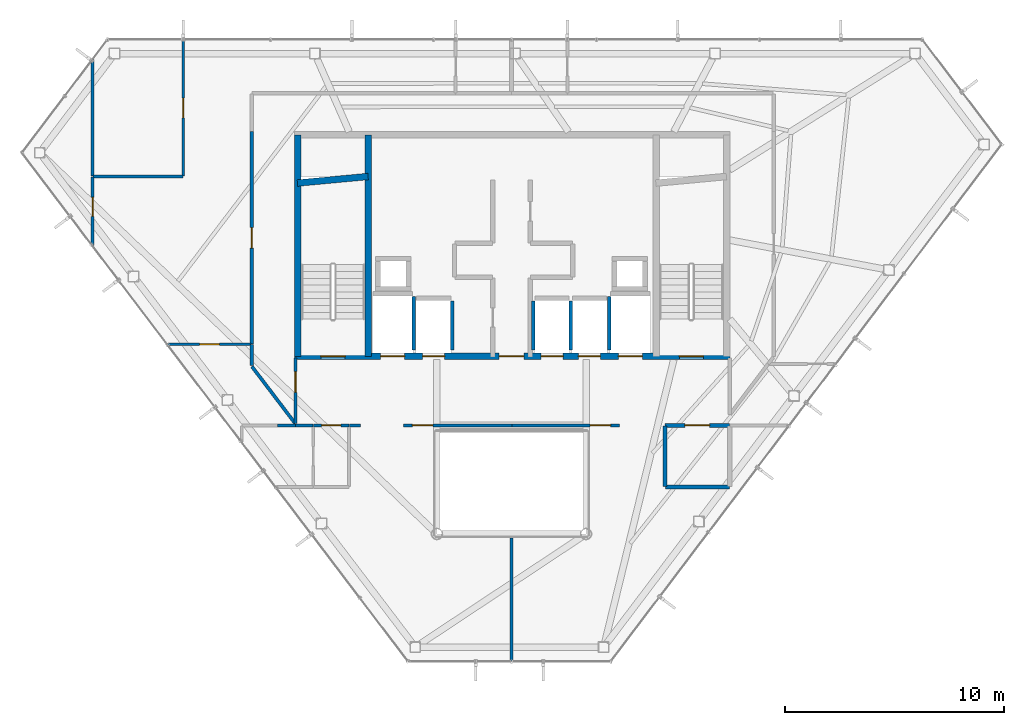
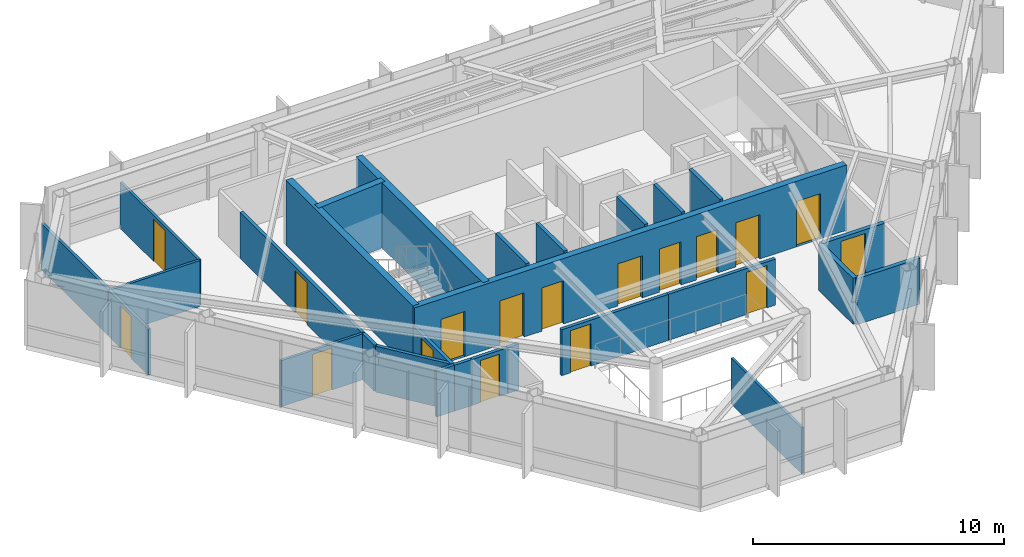
# One storey, part 21 of 24: 28 walls, 17 doors, 17 openings.
"""IFC4 building model written with IfcOpenShell, lengths in metres."""

from ifc_helpers import new_model, si_unit, direction, frame, frame_2d, origin, place, context, subcontext, project, spatial, rectangle, extrude, material, layer, layer_set, type_object, element, fill, save


model = new_model("IFC4")

# Units and contexts
model_context = context("Model", 3, precision=1e-05, world=origin(), true_north=direction((0.0, 1.0)))
body_context = subcontext(model_context, "Body", "Model", "MODEL_VIEW")
ifc_project = project(units=[si_unit("LENGTHUNIT", "METRE"), si_unit("AREAUNIT", "SQUARE_METRE"), si_unit("VOLUMEUNIT", "CUBIC_METRE"), si_unit("PLANEANGLEUNIT", "RADIAN"), si_unit("MASSUNIT", "GRAM", prefix="KILO")], contexts=[model_context])

# Site, building, storey
site_placement = place(None, origin())
site = spatial("IfcSite", under=ifc_project, at=site_placement, CompositionType="ELEMENT")
building_placement = place(site_placement, origin())
building = spatial("IfcBuilding", under=site, at=building_placement, Name="Zarrinselat Tower", CompositionType="ELEMENT")
storey_placement = place(building_placement, frame((0.0, 0.0, 272.0)))
storey = spatial("IfcBuildingStorey", under=building, at=storey_placement, Name="L69", CompositionType="ELEMENT", Elevation=272.0)

# Wall, opening, door
ifc_material_1 = material(Name="Concrete C40/50", Category="concrete")
ifc_layer_1 = layer(ifc_material_1, 0.18994140625)
ifc_layer_set_1 = layer_set([ifc_layer_1], Name="Concrete C40/50")
wall_type_1 = type_object("IfcWallType", Name="WAL-PART-EI120", PredefinedType="PARTITIONING", material=ifc_layer_set_1)
wall_1_placement = place(storey_placement, frame((45.405029296875, 30.14990234375, 0.0), z_axis=(0.0, 0.0, 1.0), x_axis=(1.0, 0.0, 0.0)))
wall_1 = element("IfcWall", 1, at=wall_1_placement, inside=storey, type_object=wall_type_1, Name="L69 Partition Wall 11", PredefinedType="PARTITIONING", context=body_context, shape_type="SweptSolid", body=[
    extrude(rectangle(XDim=2.925048828125, YDim=0.18994140625, at=frame_2d((1.46240234375, 0.0))), origin(), (0.0, 0.0, 1.0), 2.235107421875),
])
opening_1_placement = place(wall_1_placement, frame((0.902587890625, 0.0, 0.0)))
opening_1 = element("IfcOpeningElement", 2, at=opening_1_placement, cuts=wall_1, Name="Opening ID-02", PredefinedType="OPENING", context=body_context, shape_type="SweptSolid", body=[
    extrude(rectangle(XDim=1.1201171875, YDim=2.050048828125, at=frame_2d((0.56005859375, 1.02490234375))), frame((0.0, 0.10498046875, 0.0), z_axis=(0.0, -1.0, 0.0), x_axis=(1.0, 0.0, 0.0)), (0.0, 0.0, 1.0), 0.2099609375),
])
ifc_material_2 = material(Name="Steel S355J2", Category="steel")
door_type_1 = type_object("IfcDoorType", Name="DR-INT-FD60-W", OperationType="NOTDEFINED", PredefinedType="DOOR", material=ifc_material_2)
door_1_placement = place(opening_1_placement, origin())
door_1 = element("IfcDoor", 3, at=door_1_placement, inside=storey, type_object=door_type_1, Name="L69 Interior Door P11", OperationType="SINGLE_SWING_LEFT", OverallHeight=2.050048828125, OverallWidth=1.1201171875, PredefinedType="DOOR", context=body_context, shape_type="SweptSolid", body=[
    extrude(rectangle(XDim=1.1201171875, YDim=2.050048828125, at=frame_2d((0.56005859375, 1.02490234375))), frame((0.0, 0.02490234375, 0.0), z_axis=(0.0, -1.0, 0.0), x_axis=(1.0, 0.0, 0.0)), (0.0, 0.0, 1.0), 0.050048828125),
])
fill(opening_1, door_1)

# Walls
wall_2_placement = place(storey_placement, frame((45.419921875, 27.35009765625, 0.0), z_axis=(0.0, 0.0, 1.0), x_axis=(1.0, 0.0, 0.0)))
element("IfcWall", 4, at=wall_2_placement, inside=storey, type_object=wall_type_1, Name="L69 Partition Wall 19", PredefinedType="PARTITIONING", context=body_context, shape_type="SweptSolid", body=[
    extrude(rectangle(XDim=2.91015625, YDim=0.18994140625, at=frame_2d((1.455078125, 0.0))), origin(), (0.0, 0.0, 1.0), 2.235107421875),
])
wall_3_placement = place(storey_placement, frame((45.39990234375, 27.3701171875, 0.0), z_axis=(0.0, 0.0, 1.0), x_axis=(0.0, 1.0, 0.0)))
element("IfcWall", 5, at=wall_3_placement, inside=storey, type_object=wall_type_1, Name="L69 Partition Wall 20", PredefinedType="PARTITIONING", context=body_context, shape_type="SweptSolid", body=[
    extrude(rectangle(XDim=2.759765625, YDim=0.18994140625, at=frame_2d((1.3798828125, 0.0))), origin(), (0.0, 0.0, 1.0), 2.235107421875),
])

# Wall, opening, door
ifc_material_3 = material(Name="Fire-Rated Gypsum Board Partition", Category="gypsum")
ifc_layer_2 = layer(ifc_material_3, 0.14990234375)
ifc_layer_set_2 = layer_set([ifc_layer_2], Name="Fire-Rated Gypsum Board Partition")
wall_type_2 = type_object("IfcWallType", Name="WAL-PART-EI60", PredefinedType="PARTITIONING", material=ifc_layer_set_2)
wall_4_placement = place(storey_placement, frame((28.550048828125, 30.22705078125, 0.0), z_axis=(0.0, 0.0, 1.0), x_axis=(0.0, 1.0, 0.0)))
wall_4 = element("IfcWall", 6, at=wall_4_placement, inside=storey, type_object=wall_type_2, Name="L69 Partition Wall 12", PredefinedType="PARTITIONING", context=body_context, shape_type="SweptSolid", body=[
    extrude(rectangle(XDim=3.0029296875, YDim=0.14990234375, at=frame_2d((1.50146484375, 0.0))), origin(), (0.0, 0.0, 1.0), 2.235107421875),
])
opening_2_placement = place(wall_4_placement, frame((1.431396484375, 0.0, 0.0)))
opening_2 = element("IfcOpeningElement", 7, at=opening_2_placement, cuts=wall_4, Name="Opening ID-04", PredefinedType="OPENING", context=body_context, shape_type="SweptSolid", body=[
    extrude(rectangle(XDim=0.93994140625, YDim=2.050048828125, at=frame_2d((0.469970703125, 1.02490234375))), frame((0.0, 0.0849609375, 0.0), z_axis=(0.0, -1.0, 0.0), x_axis=(1.0, 0.0, 0.0)), (0.0, 0.0, 1.0), 0.169921875),
])
ifc_material_4 = material(Name="Fire-Rated Gypsum Board Partition")
door_type_2 = type_object("IfcDoorType", Name="DR-INT-FD30-ENT", OperationType="NOTDEFINED", PredefinedType="DOOR", material=ifc_material_4)
door_2_placement = place(opening_2_placement, origin())
door_2 = element("IfcDoor", 8, at=door_2_placement, inside=storey, type_object=door_type_2, Name="L69 Interior Door P12", OperationType="SINGLE_SWING_RIGHT", OverallHeight=2.050048828125, OverallWidth=0.93994140625, PredefinedType="DOOR", context=body_context, shape_type="SweptSolid", body=[
    extrude(rectangle(XDim=0.93994140625, YDim=2.050048828125, at=frame_2d((0.469970703125, 1.02490234375))), frame((0.0, 0.02490234375, 0.0), z_axis=(0.0, -1.0, 0.0), x_axis=(1.0, 0.0, 0.0)), (0.0, 0.0, 1.0), 0.050048828125),
])
fill(opening_2, door_2)

wall_5_placement = place(storey_placement, frame((29.364990234375, 30.14990234375, 0.0), z_axis=(0.0, 0.0, 1.0), x_axis=(1.0, 0.0, 0.0)))
wall_5 = element("IfcWall", 9, at=wall_5_placement, inside=storey, type_object=wall_type_2, Name="L69 Partition Wall 14", PredefinedType="PARTITIONING", context=body_context, shape_type="SweptSolid", body=[
    extrude(rectangle(XDim=1.630126953125, YDim=0.14990234375, at=frame_2d((0.81494140625, 0.0))), origin(), (0.0, 0.0, 1.0), 2.235107421875),
])
opening_3_placement = place(wall_5_placement, frame((0.375, 0.0, 0.0)))
opening_3 = element("IfcOpeningElement", 10, at=opening_3_placement, cuts=wall_5, Name="Opening ID-03", PredefinedType="OPENING", context=body_context, shape_type="SweptSolid", body=[
    extrude(rectangle(XDim=0.8798828125, YDim=2.050048828125, at=frame_2d((0.43994140625, 1.02490234375))), frame((0.0, 0.0849609375, 0.0), z_axis=(0.0, -1.0, 0.0), x_axis=(1.0, 0.0, 0.0)), (0.0, 0.0, 1.0), 0.169921875),
])
ifc_material_5 = material(Name="Steel S355J2", Category="steel")
door_type_3 = type_object("IfcDoorType", Name="DR-INT-FD60-S", OperationType="NOTDEFINED", PredefinedType="DOOR", material=ifc_material_5)
door_3_placement = place(opening_3_placement, origin())
door_3 = element("IfcDoor", 11, at=door_3_placement, inside=storey, type_object=door_type_3, Name="L69 Interior Door P14", OperationType="SINGLE_SWING_LEFT", OverallHeight=2.050048828125, OverallWidth=0.8798828125, PredefinedType="DOOR", context=body_context, shape_type="SweptSolid", body=[
    extrude(rectangle(XDim=0.8798828125, YDim=2.050048828125, at=frame_2d((0.43994140625, 1.02490234375))), frame((0.0, 0.02490234375, 0.0), z_axis=(0.0, -1.0, 0.0), x_axis=(1.0, 0.0, 0.0)), (0.0, 0.0, 1.0), 0.050048828125),
])
fill(opening_3, door_3)

# Wall
wall_6_placement = place(storey_placement, frame((28.550048828125, 30.14990234375, 0.0), z_axis=(0.0, 0.0, 1.0), x_axis=(1.0, 0.0, 0.0)))
element("IfcWall", 12, at=wall_6_placement, inside=storey, type_object=wall_type_2, Name="L69 Partition Wall 15", PredefinedType="PARTITIONING", context=body_context, shape_type="SweptSolid", body=[
    extrude(rectangle(XDim=0.804931640625, YDim=0.14990234375, at=frame_2d((0.40234375, 0.0))), origin(), (0.0, 0.0, 1.0), 2.235107421875),
])

# Wall, opening, door
wall_7_placement = place(storey_placement, frame((33.485107421875, 30.14990234375, 0.0), z_axis=(0.0, 0.0, 1.0), x_axis=(1.0, 0.0, 0.0)))
wall_7 = element("IfcWall", 13, at=wall_7_placement, inside=storey, type_object=wall_type_2, Name="L69 Partition Wall 16", PredefinedType="PARTITIONING", context=body_context, shape_type="SweptSolid", body=[
    extrude(rectangle(XDim=4.929931640625, YDim=0.14990234375, at=frame_2d((2.46484375, 0.0))), origin(), (0.0, 0.0, 1.0), 2.235107421875),
])
opening_4_placement = place(wall_7_placement, frame((0.39501953125, 0.0, 0.0)))
opening_4 = element("IfcOpeningElement", 14, at=opening_4_placement, cuts=wall_7, Name="Opening ID-04", PredefinedType="OPENING", context=body_context, shape_type="SweptSolid", body=[
    extrude(rectangle(XDim=0.93994140625, YDim=2.050048828125, at=frame_2d((0.469970703125, 1.02490234375))), frame((0.0, 0.0849609375, 0.0), z_axis=(0.0, -1.0, 0.0), x_axis=(1.0, 0.0, 0.0)), (0.0, 0.0, 1.0), 0.169921875),
])
door_4_placement = place(opening_4_placement, origin())
door_4 = element("IfcDoor", 15, at=door_4_placement, inside=storey, type_object=door_type_2, Name="L69 Interior Door P16", OperationType="SINGLE_SWING_RIGHT", OverallHeight=2.050048828125, OverallWidth=0.93994140625, PredefinedType="DOOR", context=body_context, shape_type="SweptSolid", body=[
    extrude(rectangle(XDim=0.93994140625, YDim=2.050048828125, at=frame_2d((0.469970703125, 1.02490234375))), frame((0.0, 0.02490234375, 0.0), z_axis=(0.0, -1.0, 0.0), x_axis=(1.0, 0.0, 0.0)), (0.0, 0.0, 1.0), 0.050048828125),
])
fill(opening_4, door_4)

# Wall
wall_8_placement = place(storey_placement, frame((31.0048828125, 30.14990234375, 0.0), z_axis=(0.0, 0.0, 1.0), x_axis=(1.0, 0.0, 0.0)))
element("IfcWall", 16, at=wall_8_placement, inside=storey, type_object=wall_type_2, Name="L69 Partition Wall 17", PredefinedType="PARTITIONING", context=body_context, shape_type="SweptSolid", body=[
    extrude(rectangle(XDim=0.510009765625, YDim=0.14990234375, at=frame_2d((0.2548828125, 0.0))), origin(), (0.0, 0.0, 1.0), 2.235107421875),
])

# Wall, opening, door
wall_9_placement = place(storey_placement, frame((38.385009765625, 30.14990234375, 0.0), z_axis=(0.0, 0.0, 1.0), x_axis=(1.0, 0.0, 0.0)))
wall_9 = element("IfcWall", 17, at=wall_9_placement, inside=storey, type_object=wall_type_2, Name="L69 Partition Wall 18", PredefinedType="PARTITIONING", context=body_context, shape_type="SweptSolid", body=[
    extrude(rectangle(XDim=4.929931640625, YDim=0.14990234375, at=frame_2d((2.46484375, 0.0))), origin(), (0.0, 0.0, 1.0), 2.235107421875),
])
opening_5_placement = place(wall_9_placement, frame((3.594970703125, 0.0, 0.0)))
opening_5 = element("IfcOpeningElement", 18, at=opening_5_placement, cuts=wall_9, Name="Opening ID-04", PredefinedType="OPENING", context=body_context, shape_type="SweptSolid", body=[
    extrude(rectangle(XDim=0.93994140625, YDim=2.050048828125, at=frame_2d((0.469970703125, 1.02490234375))), frame((0.0, 0.0849609375, 0.0), z_axis=(0.0, -1.0, 0.0), x_axis=(1.0, 0.0, 0.0)), (0.0, 0.0, 1.0), 0.169921875),
])
door_5_placement = place(opening_5_placement, origin())
door_5 = element("IfcDoor", 19, at=door_5_placement, inside=storey, type_object=door_type_2, Name="L69 Interior Door P18", OperationType="SINGLE_SWING_LEFT", OverallHeight=2.050048828125, OverallWidth=0.93994140625, PredefinedType="DOOR", context=body_context, shape_type="SweptSolid", body=[
    extrude(rectangle(XDim=0.93994140625, YDim=2.050048828125, at=frame_2d((0.469970703125, 1.02490234375))), frame((0.0, 0.02490234375, 0.0), z_axis=(0.0, -1.0, 0.0), x_axis=(1.0, 0.0, 0.0)), (0.0, 0.0, 1.0), 0.050048828125),
])
fill(opening_5, door_5)

wall_10_placement = place(storey_placement, frame((26.550048828125, 33.855224609375, 0.0), z_axis=(0.0, 0.0, 1.0), x_axis=(0.0, 1.0, 0.0)))
wall_10 = element("IfcWall", 20, at=wall_10_placement, inside=storey, type_object=wall_type_2, Name="L69 Partition Wall 22", PredefinedType="PARTITIONING", context=body_context, shape_type="SweptSolid", body=[
    extrude(rectangle(XDim=9.69482421875, YDim=0.14990234375, at=frame_2d((4.847412109375, 0.0))), origin(), (0.0, 0.0, 1.0), 2.235107421875),
])
opening_6_placement = place(wall_10_placement, frame((4.37744140625, 0.0, 0.0)))
opening_6 = element("IfcOpeningElement", 21, at=opening_6_placement, cuts=wall_10, Name="Opening ID-04", PredefinedType="OPENING", context=body_context, shape_type="SweptSolid", body=[
    extrude(rectangle(XDim=0.93994140625, YDim=2.050048828125, at=frame_2d((0.469970703125, 1.02490234375))), frame((0.0, 0.0849609375, 0.0), z_axis=(0.0, -1.0, 0.0), x_axis=(1.0, 0.0, 0.0)), (0.0, 0.0, 1.0), 0.169921875),
])
door_6_placement = place(opening_6_placement, origin())
door_6 = element("IfcDoor", 22, at=door_6_placement, inside=storey, type_object=door_type_2, Name="L69 Interior Door P22", OperationType="SINGLE_SWING_RIGHT", OverallHeight=2.050048828125, OverallWidth=0.93994140625, PredefinedType="DOOR", context=body_context, shape_type="SweptSolid", body=[
    extrude(rectangle(XDim=0.93994140625, YDim=2.050048828125, at=frame_2d((0.469970703125, 1.02490234375))), frame((0.0, 0.02490234375, 0.0), z_axis=(0.0, -1.0, 0.0), x_axis=(1.0, 0.0, 0.0)), (0.0, 0.0, 1.0), 0.050048828125),
])
fill(opening_6, door_6)

# Walls
wall_11_placement = place(storey_placement, frame((26.56201171875, 32.839599609375, 0.0), z_axis=(0.0, 0.0, 1.0), x_axis=(0.604783852999, -0.796389660375, 0.0)))
element("IfcWall", 23, at=wall_11_placement, inside=storey, type_object=wall_type_2, Name="L69 Partition Wall 26", PredefinedType="PARTITIONING", context=body_context, shape_type="SweptSolid", body=[
    extrude(rectangle(XDim=3.26708984375, YDim=0.14990234375, at=frame_2d((1.633544921875, 0.0))), origin(), (0.0, 0.0, 1.0), 2.235107421875),
])
wall_12_placement = place(storey_placement, frame((26.550048828125, 32.87548828125, 0.0), z_axis=(0.0, 0.0, 1.0), x_axis=(0.0, 1.0, 0.0)))
element("IfcWall", 24, at=wall_12_placement, inside=storey, type_object=wall_type_2, Name="L69 Partition Wall 27", PredefinedType="PARTITIONING", context=body_context, shape_type="SweptSolid", body=[
    extrude(rectangle(XDim=0.9697265625, YDim=0.14990234375, at=frame_2d((0.48486328125, 0.0))), origin(), (0.0, 0.0, 1.0), 2.235107421875),
])
ifc_material_6 = material(Name="Extruded Aluminium Alloy EN AW-6063 T6", Category="aluminium")
ifc_layer_3 = layer(ifc_material_6, 0.114990234375)
ifc_layer_set_3 = layer_set([ifc_layer_3], Name="Extruded Aluminium Alloy EN AW-6063 T6")
wall_type_3 = type_object("IfcWallType", Name="WAL-PART-MOV", PredefinedType="MOVABLE", material=ifc_layer_set_3)
wall_13_placement = place(storey_placement, frame((38.39990234375, 19.403076171875, 0.0), z_axis=(0.0, 0.0, 1.0), x_axis=(0.0, 1.0, 0.0)))
element("IfcWall", 25, at=wall_13_placement, inside=storey, type_object=wall_type_3, Name="L69 Partition Wall 41", PredefinedType="MOVABLE", context=body_context, shape_type="SweptSolid", body=[
    extrude(rectangle(XDim=5.616943359375, YDim=0.114990234375, at=frame_2d((2.80859375, 0.0))), origin(), (0.0, 0.0, 1.0), 2.235107421875),
])
ifc_material_7 = material(Name="Fire-Rated Gypsum Board Partition", Category="gypsum")
ifc_layer_4 = layer(ifc_material_7, 0.1201171875)
ifc_layer_set_4 = layer_set([ifc_layer_4], Name="Fire-Rated Gypsum Board Partition")
wall_type_4 = type_object("IfcWallType", Name="WAL-PART-STD", PredefinedType="PARTITIONING", material=ifc_layer_set_4)
wall_14_placement = place(storey_placement, frame((19.322265625, 41.49853515625, 0.0), z_axis=(0.0, 0.0, 1.0), x_axis=(1.0, 0.0, 0.0)))
element("IfcWall", 26, at=wall_14_placement, inside=storey, type_object=wall_type_4, Name="L69 Partition Wall 45", PredefinedType="PARTITIONING", context=body_context, shape_type="SweptSolid", body=[
    extrude(rectangle(XDim=4.096923828125, YDim=0.1201171875, at=frame_2d((2.04833984375, 0.0))), origin(), (0.0, 0.0, 1.0), 2.235107421875),
])

# Wall, opening, door
wall_15_placement = place(storey_placement, frame((23.439208984375, 41.5185546875, 0.0), z_axis=(0.0, 0.0, 1.0), x_axis=(0.0, 1.0, 0.0)))
wall_15 = element("IfcWall", 27, at=wall_15_placement, inside=storey, type_object=wall_type_4, Name="L69 Partition Wall 46", PredefinedType="PARTITIONING", context=body_context, shape_type="SweptSolid", body=[
    extrude(rectangle(XDim=6.216552734375, YDim=0.1201171875, at=frame_2d((3.1083984375, 0.0))), origin(), (0.0, 0.0, 1.0), 2.235107421875),
])
opening_7_placement = place(wall_15_placement, frame((2.658203125, 0.0, 0.0)))
opening_7 = element("IfcOpeningElement", 28, at=opening_7_placement, cuts=wall_15, Name="Opening ID-05", PredefinedType="OPENING", context=body_context, shape_type="SweptSolid", body=[
    extrude(rectangle(XDim=0.89990234375, YDim=2.050048828125, at=frame_2d((0.449951171875, 1.02490234375))), frame((0.0, 0.070068359375, 0.0), z_axis=(0.0, -1.0, 0.0), x_axis=(1.0, 0.0, 0.0)), (0.0, 0.0, 1.0), 0.14013671875),
])
ifc_material_8 = material(Name="Extruded Aluminium Alloy EN AW-6063 T6", Category="aluminium")
door_type_4 = type_object("IfcDoorType", Name="DR-INT-STD-920", OperationType="NOTDEFINED", PredefinedType="DOOR", material=ifc_material_8)
door_7_placement = place(opening_7_placement, origin())
door_7 = element("IfcDoor", 29, at=door_7_placement, inside=storey, type_object=door_type_4, Name="L69 Interior Door P46", OperationType="SINGLE_SWING_LEFT", OverallHeight=2.050048828125, OverallWidth=0.89990234375, PredefinedType="DOOR", context=body_context, shape_type="SweptSolid", body=[
    extrude(rectangle(XDim=0.89990234375, YDim=2.050048828125, at=frame_2d((0.449951171875, 1.02490234375))), frame((0.0, 0.02490234375, 0.0), z_axis=(0.0, -1.0, 0.0), x_axis=(1.0, 0.0, 0.0)), (0.0, 0.0, 1.0), 0.050048828125),
])
fill(opening_7, door_7)

wall_16_placement = place(storey_placement, frame((22.720703125, 33.85009765625, 0.0), z_axis=(0.0, 0.0, 1.0), x_axis=(1.0, 0.0, 0.0)))
wall_16 = element("IfcWall", 30, at=wall_16_placement, inside=storey, type_object=wall_type_4, Name="L69 Partition Wall 47", PredefinedType="PARTITIONING", context=body_context, shape_type="SweptSolid", body=[
    extrude(rectangle(XDim=3.809326171875, YDim=0.1201171875, at=frame_2d((1.90478515625, 0.0))), origin(), (0.0, 0.0, 1.0), 2.235107421875),
])
opening_8_placement = place(wall_16_placement, frame((1.45458984375, 0.0, 0.0)))
opening_8 = element("IfcOpeningElement", 31, at=opening_8_placement, cuts=wall_16, Name="Opening ID-05", PredefinedType="OPENING", context=body_context, shape_type="SweptSolid", body=[
    extrude(rectangle(XDim=0.89990234375, YDim=2.050048828125, at=frame_2d((0.449951171875, 1.02490234375))), frame((0.0, 0.070068359375, 0.0), z_axis=(0.0, -1.0, 0.0), x_axis=(1.0, 0.0, 0.0)), (0.0, 0.0, 1.0), 0.14013671875),
])
door_8_placement = place(opening_8_placement, origin())
door_8 = element("IfcDoor", 32, at=door_8_placement, inside=storey, type_object=door_type_4, Name="L69 Interior Door P47", OperationType="SINGLE_SWING_RIGHT", OverallHeight=2.050048828125, OverallWidth=0.89990234375, PredefinedType="DOOR", context=body_context, shape_type="SweptSolid", body=[
    extrude(rectangle(XDim=0.89990234375, YDim=2.050048828125, at=frame_2d((0.449951171875, 1.02490234375))), frame((0.0, 0.02490234375, 0.0), z_axis=(0.0, -1.0, 0.0), x_axis=(1.0, 0.0, 0.0)), (0.0, 0.0, 1.0), 0.050048828125),
])
fill(opening_8, door_8)

# Wall
ifc_material_9 = material(Name="Fire-Rated Gypsum Board Partition", Category="gypsum")
ifc_layer_5 = layer(ifc_material_9, 0.135009765625)
ifc_layer_set_5 = layer_set([ifc_layer_5], Name="Fire-Rated Gypsum Board Partition")
wall_type_5 = type_object("IfcWallType", Name="WAL-PART-WET", PredefinedType="PARTITIONING", material=ifc_layer_set_5)
wall_17_placement = place(storey_placement, frame((27.72998046875, 30.14990234375, 0.0), z_axis=(0.0, 0.0, 1.0), x_axis=(1.0, 0.0, 0.0)))
element("IfcWall", 33, at=wall_17_placement, inside=storey, type_object=wall_type_5, Name="L69 Partition Wall 40", PredefinedType="PARTITIONING", context=body_context, shape_type="SweptSolid", body=[
    extrude(rectangle(XDim=0.820068359375, YDim=0.135009765625, at=frame_2d((0.41015625, 0.0))), origin(), (0.0, 0.0, 1.0), 2.235107421875),
])

# Wall, opening, door
wall_18_placement = place(storey_placement, frame((19.30224609375, 38.3466796875, 0.0), z_axis=(0.0, 0.0, 1.0), x_axis=(0.0, 1.0, 0.0)))
wall_18 = element("IfcWall", 34, at=wall_18_placement, inside=storey, type_object=wall_type_5, Name="L69 Partition Wall 43", PredefinedType="PARTITIONING", context=body_context, shape_type="SweptSolid", body=[
    extrude(rectangle(XDim=3.1318359375, YDim=0.135009765625, at=frame_2d((1.56591796875, 0.0))), origin(), (0.0, 0.0, 1.0), 2.235107421875),
])
opening_9_placement = place(wall_18_placement, frame((1.335693359375, 0.0, 0.0)))
opening_9 = element("IfcOpeningElement", 35, at=opening_9_placement, cuts=wall_18, Name="Opening ID-06", PredefinedType="OPENING", context=body_context, shape_type="SweptSolid", body=[
    extrude(rectangle(XDim=0.860107421875, YDim=2.050048828125, at=frame_2d((0.43017578125, 1.02490234375))), frame((0.0, 0.077392578125, 0.0), z_axis=(0.0, -1.0, 0.0), x_axis=(1.0, 0.0, 0.0)), (0.0, 0.0, 1.0), 0.155029296875),
])
ifc_material_10 = material(Name="Extruded Aluminium Alloy EN AW-6063 T6", Category="aluminium")
door_type_5 = type_object("IfcDoorType", Name="DR-INT-WET-900", OperationType="NOTDEFINED", PredefinedType="DOOR", material=ifc_material_10)
door_9_placement = place(opening_9_placement, origin())
door_9 = element("IfcDoor", 36, at=door_9_placement, inside=storey, type_object=door_type_5, Name="L69 Interior Door P43", OperationType="SINGLE_SWING_LEFT", OverallHeight=2.050048828125, OverallWidth=0.860107421875, PredefinedType="DOOR", context=body_context, shape_type="SweptSolid", body=[
    extrude(rectangle(XDim=0.860107421875, YDim=2.050048828125, at=frame_2d((0.43017578125, 1.02490234375))), frame((0.0, 0.02490234375, 0.0), z_axis=(0.0, -1.0, 0.0), x_axis=(1.0, 0.0, 0.0)), (0.0, 0.0, 1.0), 0.050048828125),
])
fill(opening_9, door_9)

# Walls
wall_19_placement = place(storey_placement, frame((19.30224609375, 41.5185546875, 0.0), z_axis=(0.0, 0.0, 1.0), x_axis=(0.0, 1.0, 0.0)))
element("IfcWall", 37, at=wall_19_placement, inside=storey, type_object=wall_type_5, Name="L69 Partition Wall 48", PredefinedType="PARTITIONING", context=body_context, shape_type="SweptSolid", body=[
    extrude(rectangle(XDim=5.315185546875, YDim=0.135009765625, at=frame_2d((2.65771484375, 0.0))), origin(), (0.0, 0.0, 1.0), 2.235107421875),
])
ifc_material_11 = material(Name="Concrete C40/50", Category="concrete")
ifc_layer_6 = layer(ifc_material_11, 0.2099609375)
ifc_layer_set_6 = layer_set([ifc_layer_6], Name="Concrete C40/50")
wall_type_6 = type_object("IfcWallType", Name="WAL-SHAFT-210", PredefinedType="SOLIDWALL", material=ifc_layer_set_6)
for number, where, z_axis, x_axis, name in (
    (38, (33.949951171875, 33.580078125, 0.0), (0.0, 0.0, 1.0), (0.0, 1.0, 0.0), "L69 Lift FFL1 E Shaft Wall"),
    (39, (42.85009765625, 33.580078125, 0.0), (0.0, 0.0, 1.0), (0.0, 1.0, 0.0), "L69 Lift FFL2 W Shaft Wall"),
):
    element("IfcWall", number, at=place(storey_placement, frame(where, z_axis=z_axis, x_axis=x_axis)), inside=storey, type_object=wall_type_6, Name=name, PredefinedType="SOLIDWALL", context=body_context, shape_type="SweptSolid", body=[
        extrude(rectangle(XDim=2.449951171875, YDim=0.159912109375, at=frame_2d((1.22509765625, 0.0))), origin(), (0.0, 0.0, 1.0), 3.179931640625),
    ])
for number, where, z_axis, x_axis, name in (
    (40, (39.39990234375, 33.580078125, 0.0), (0.0, 0.0, 1.0), (0.0, 1.0, 0.0), "L69 Lift PL8 W Shaft Wall"),
    (41, (41.10009765625, 33.580078125, 0.0), (0.0, 0.0, 1.0), (0.0, 1.0, 0.0), "L69 Lift PL8 E Shaft Wall"),
    (42, (35.699951171875, 33.580078125, 0.0), (0.0, 0.0, 1.0), (0.0, 1.0, 0.0), "L69 Lift PL10 E Shaft Wall"),
):
    element("IfcWall", number, at=place(storey_placement, frame(where, z_axis=z_axis, x_axis=x_axis)), inside=storey, type_object=wall_type_6, Name=name, PredefinedType="SOLIDWALL", context=body_context, shape_type="SweptSolid", body=[
        extrude(rectangle(XDim=2.25, YDim=0.159912109375, at=frame_2d((1.125, 0.0))), origin(), (0.0, 0.0, 1.0), 3.179931640625),
    ])

# Wall, openings, doors
ifc_material_12 = material(Name="Concrete C40/50", Category="concrete")
ifc_layer_7 = layer(ifc_material_12, 0.300048828125)
ifc_layer_set_7 = layer_set([ifc_layer_7], Name="Concrete C40/50")
wall_type_7 = type_object("IfcWallType", Name="WAL-SHEAR-300", PredefinedType="SHEAR", material=ifc_layer_set_7)
wall_20_placement = place(storey_placement, frame((28.5, 33.300048828125, 0.0), z_axis=(0.0, 0.0, 1.0), x_axis=(1.0, 0.0, 0.0)))
wall_20 = element("IfcWall", 43, at=wall_20_placement, inside=storey, type_object=wall_type_7, Name="L69 South Core Shear Wall", PredefinedType="SHEAR", context=body_context, shape_type="SweptSolid", body=[
    extrude(rectangle(XDim=19.860107421875, YDim=0.300048828125, at=frame_2d((9.93017578125, 0.0))), origin(), (0.0, 0.0, 1.0), 3.179931640625),
])
opening_10_placement = place(wall_20_placement, frame((3.929931640625, 0.0, 0.0)))
opening_10 = element("IfcOpeningElement", 44, at=opening_10_placement, cuts=wall_20, Name="Opening LD-FFL1", PredefinedType="OPENING", context=body_context, shape_type="SweptSolid", body=[
    extrude(rectangle(XDim=1.10009765625, YDim=2.14990234375, at=frame_2d((0.550048828125, 1.074951171875))), frame((0.0, 0.159912109375, 0.0), z_axis=(0.0, -1.0, 0.0), x_axis=(1.0, 0.0, 0.0)), (0.0, 0.0, 1.0), 0.320068359375),
])
opening_11_placement = place(wall_20_placement, frame((14.77001953125, 0.0, 0.0)))
opening_11 = element("IfcOpeningElement", 45, at=opening_11_placement, cuts=wall_20, Name="Opening LD-FFL2", PredefinedType="OPENING", context=body_context, shape_type="SweptSolid", body=[
    extrude(rectangle(XDim=1.10009765625, YDim=2.14990234375, at=frame_2d((0.550048828125, 1.074951171875))), frame((0.0, 0.159912109375, 0.0), z_axis=(0.0, -1.0, 0.0), x_axis=(1.0, 0.0, 0.0)), (0.0, 0.0, 1.0), 0.320068359375),
])
opening_12_placement = place(wall_20_placement, frame((11.25, 0.0, 0.0)))
opening_12 = element("IfcOpeningElement", 46, at=opening_12_placement, cuts=wall_20, Name="Opening LD-PL8", PredefinedType="OPENING", context=body_context, shape_type="SweptSolid", body=[
    extrude(rectangle(XDim=1.0, YDim=2.10009765625, at=frame_2d((0.5, 1.050048828125))), frame((0.0, 0.159912109375, 0.0), z_axis=(0.0, -1.0, 0.0), x_axis=(1.0, 0.0, 0.0)), (0.0, 0.0, 1.0), 0.320068359375),
])
opening_13_placement = place(wall_20_placement, frame((12.949951171875, 0.0, 0.0)))
opening_13 = element("IfcOpeningElement", 47, at=opening_13_placement, cuts=wall_20, Name="Opening LD-PL9", PredefinedType="OPENING", context=body_context, shape_type="SweptSolid", body=[
    extrude(rectangle(XDim=1.0, YDim=2.10009765625, at=frame_2d((0.5, 1.050048828125))), frame((0.0, 0.159912109375, 0.0), z_axis=(0.0, -1.0, 0.0), x_axis=(1.0, 0.0, 0.0)), (0.0, 0.0, 1.0), 0.320068359375),
])
opening_14_placement = place(wall_20_placement, frame((5.85009765625, 0.0, 0.0)))
opening_14 = element("IfcOpeningElement", 48, at=opening_14_placement, cuts=wall_20, Name="Opening LD-PL10", PredefinedType="OPENING", context=body_context, shape_type="SweptSolid", body=[
    extrude(rectangle(XDim=1.0, YDim=2.10009765625, at=frame_2d((0.5, 1.050048828125))), frame((0.0, 0.159912109375, 0.0), z_axis=(0.0, -1.0, 0.0), x_axis=(1.0, 0.0, 0.0)), (0.0, 0.0, 1.0), 0.320068359375),
])
opening_15_placement = place(wall_20_placement, frame((1.2099609375, 0.0, 0.0)))
opening_15 = element("IfcOpeningElement", 49, at=opening_15_placement, cuts=wall_20, Name="Opening SD-01", PredefinedType="OPENING", context=body_context, shape_type="SweptSolid", body=[
    extrude(rectangle(XDim=1.10009765625, YDim=2.199951171875, at=frame_2d((0.550048828125, 1.10009765625))), frame((0.0, 0.159912109375, 0.0), z_axis=(0.0, -1.0, 0.0), x_axis=(1.0, 0.0, 0.0)), (0.0, 0.0, 1.0), 0.320068359375),
])
opening_16_placement = place(wall_20_placement, frame((9.340087890625, 0.0, 0.0)))
opening_16 = element("IfcOpeningElement", 50, at=opening_16_placement, cuts=wall_20, Name="Opening ID-02", PredefinedType="OPENING", context=body_context, shape_type="SweptSolid", body=[
    extrude(rectangle(XDim=1.1201171875, YDim=2.050048828125, at=frame_2d((0.56005859375, 1.02490234375))), frame((0.0, 0.159912109375, 0.0), z_axis=(0.0, -1.0, 0.0), x_axis=(1.0, 0.0, 0.0)), (0.0, 0.0, 1.0), 0.320068359375),
])
opening_17_placement = place(wall_20_placement, frame((17.550048828125, 0.0, 0.0)))
opening_17 = element("IfcOpeningElement", 51, at=opening_17_placement, cuts=wall_20, Name="Opening SD-01", PredefinedType="OPENING", context=body_context, shape_type="SweptSolid", body=[
    extrude(rectangle(XDim=1.10009765625, YDim=2.199951171875, at=frame_2d((0.550048828125, 1.10009765625))), frame((0.0, 0.159912109375, 0.0), z_axis=(0.0, -1.0, 0.0), x_axis=(1.0, 0.0, 0.0)), (0.0, 0.0, 1.0), 0.320068359375),
])
door_10_placement = place(opening_16_placement, origin())
door_10 = element("IfcDoor", 52, at=door_10_placement, inside=storey, type_object=door_type_1, Name="L69 Core Service Vestibule Fire Door", OperationType="SINGLE_SWING_LEFT", OverallHeight=2.050048828125, OverallWidth=1.1201171875, PredefinedType="DOOR", context=body_context, shape_type="SweptSolid", body=[
    extrude(rectangle(XDim=1.1201171875, YDim=2.050048828125, at=frame_2d((0.56005859375, 1.02490234375))), frame((0.0, 0.02490234375, 0.0), z_axis=(0.0, -1.0, 0.0), x_axis=(1.0, 0.0, 0.0)), (0.0, 0.0, 1.0), 0.050048828125),
])
fill(opening_16, door_10)
ifc_material_13 = material(Name="Steel S355J2", Category="steel")
door_type_6 = type_object("IfcDoorType", Name="DR-LIFT-FF-1100", OperationType="NOTDEFINED", PredefinedType="DOOR", material=ifc_material_13)
door_11_placement = place(opening_10_placement, origin())
door_11 = element("IfcDoor", 53, at=door_11_placement, inside=storey, type_object=door_type_6, Name="L69 Lift FFL1 Sliding Landing Door", OperationType="SLIDING_TO_LEFT", OverallHeight=2.14990234375, OverallWidth=1.10009765625, PredefinedType="DOOR", context=body_context, shape_type="SweptSolid", body=[
    extrude(rectangle(XDim=1.10009765625, YDim=2.14990234375, at=frame_2d((0.550048828125, 1.074951171875))), frame((0.0, 0.02490234375, 0.0), z_axis=(0.0, -1.0, 0.0), x_axis=(1.0, 0.0, 0.0)), (0.0, 0.0, 1.0), 0.050048828125),
])
fill(opening_10, door_11)
door_12_placement = place(opening_11_placement, origin())
door_12 = element("IfcDoor", 54, at=door_12_placement, inside=storey, type_object=door_type_6, Name="L69 Lift FFL2 Sliding Landing Door", OperationType="SLIDING_TO_RIGHT", OverallHeight=2.14990234375, OverallWidth=1.10009765625, PredefinedType="DOOR", context=body_context, shape_type="SweptSolid", body=[
    extrude(rectangle(XDim=1.10009765625, YDim=2.14990234375, at=frame_2d((0.550048828125, 1.074951171875))), frame((0.0, 0.02490234375, 0.0), z_axis=(0.0, -1.0, 0.0), x_axis=(1.0, 0.0, 0.0)), (0.0, 0.0, 1.0), 0.050048828125),
])
fill(opening_11, door_12)
ifc_material_14 = material(Name="Steel S355J2", Category="steel")
door_type_7 = type_object("IfcDoorType", Name="DR-LIFT-PS-1000", OperationType="NOTDEFINED", PredefinedType="DOOR", material=ifc_material_14)
door_13_placement = place(opening_12_placement, origin())
door_13 = element("IfcDoor", 55, at=door_13_placement, inside=storey, type_object=door_type_7, Name="L69 Lift PL8 Sliding Landing Door", OperationType="SLIDING_TO_RIGHT", OverallHeight=2.10009765625, OverallWidth=1.0, PredefinedType="DOOR", context=body_context, shape_type="SweptSolid", body=[
    extrude(rectangle(XDim=1.0, YDim=2.10009765625, at=frame_2d((0.5, 1.050048828125))), frame((0.0, 0.02490234375, 0.0), z_axis=(0.0, -1.0, 0.0), x_axis=(1.0, 0.0, 0.0)), (0.0, 0.0, 1.0), 0.050048828125),
])
fill(opening_12, door_13)
door_14_placement = place(opening_13_placement, origin())
door_14 = element("IfcDoor", 56, at=door_14_placement, inside=storey, type_object=door_type_7, Name="L69 Lift PL9 Sliding Landing Door", OperationType="SLIDING_TO_LEFT", OverallHeight=2.10009765625, OverallWidth=1.0, PredefinedType="DOOR", context=body_context, shape_type="SweptSolid", body=[
    extrude(rectangle(XDim=1.0, YDim=2.10009765625, at=frame_2d((0.5, 1.050048828125))), frame((0.0, 0.02490234375, 0.0), z_axis=(0.0, -1.0, 0.0), x_axis=(1.0, 0.0, 0.0)), (0.0, 0.0, 1.0), 0.050048828125),
])
fill(opening_13, door_14)
door_15_placement = place(opening_14_placement, origin())
door_15 = element("IfcDoor", 57, at=door_15_placement, inside=storey, type_object=door_type_7, Name="L69 Lift PL10 Sliding Landing Door", OperationType="SLIDING_TO_RIGHT", OverallHeight=2.10009765625, OverallWidth=1.0, PredefinedType="DOOR", context=body_context, shape_type="SweptSolid", body=[
    extrude(rectangle(XDim=1.0, YDim=2.10009765625, at=frame_2d((0.5, 1.050048828125))), frame((0.0, 0.02490234375, 0.0), z_axis=(0.0, -1.0, 0.0), x_axis=(1.0, 0.0, 0.0)), (0.0, 0.0, 1.0), 0.050048828125),
])
fill(opening_14, door_15)
ifc_material_15 = material(Name="Steel S355J2", Category="steel")
door_type_8 = type_object("IfcDoorType", Name="DR-STAIR-1100", OperationType="NOTDEFINED", PredefinedType="DOOR", material=ifc_material_15)
door_16_placement = place(opening_15_placement, origin())
door_16 = element("IfcDoor", 58, at=door_16_placement, inside=storey, type_object=door_type_8, Name="L69 Exit Stair 1 Fire Door", OperationType="SINGLE_SWING_LEFT", OverallHeight=2.199951171875, OverallWidth=1.10009765625, PredefinedType="DOOR", context=body_context, shape_type="SweptSolid", body=[
    extrude(rectangle(XDim=1.10009765625, YDim=2.199951171875, at=frame_2d((0.550048828125, 1.10009765625))), frame((0.0, 0.02490234375, 0.0), z_axis=(0.0, -1.0, 0.0), x_axis=(1.0, 0.0, 0.0)), (0.0, 0.0, 1.0), 0.050048828125),
])
fill(opening_15, door_16)
door_17_placement = place(opening_17_placement, origin())
door_17 = element("IfcDoor", 59, at=door_17_placement, inside=storey, type_object=door_type_8, Name="L69 Exit Stair 2 Fire Door", OperationType="SINGLE_SWING_RIGHT", OverallHeight=2.199951171875, OverallWidth=1.10009765625, PredefinedType="DOOR", context=body_context, shape_type="SweptSolid", body=[
    extrude(rectangle(XDim=1.10009765625, YDim=2.199951171875, at=frame_2d((0.550048828125, 1.10009765625))), frame((0.0, 0.02490234375, 0.0), z_axis=(0.0, -1.0, 0.0), x_axis=(1.0, 0.0, 0.0)), (0.0, 0.0, 1.0), 0.050048828125),
])
fill(opening_17, door_17)

# Walls
for number, where, z_axis, x_axis, name in (
    (60, (28.64990234375, 33.300048828125, 0.0), (0.0, 0.0, 1.0), (0.0, 1.0, 0.0), "L69 Core Shear Wall W"),
    (61, (31.8701171875, 33.300048828125, 0.0), (0.0, 0.0, 1.0), (0.0, 1.0, 0.0), "L69 Core Shear Wall ST1E"),
):
    element("IfcWall", number, at=place(storey_placement, frame(where, z_axis=z_axis, x_axis=x_axis)), inside=storey, type_object=wall_type_7, Name=name, PredefinedType="SHEAR", context=body_context, shape_type="SweptSolid", body=[
        extrude(rectangle(XDim=10.099853515625, YDim=0.300048828125, at=frame_2d((5.0498046875, 0.0))), origin(), (0.0, 0.0, 1.0), 3.179931640625),
    ])
wall_21_placement = place(storey_placement, frame((28.639892578125, 41.199951171875, 0.0), z_axis=(0.0, 0.0, 1.0), x_axis=(0.995687118776, 0.092774789157, 0.0)))
element("IfcWall", 62, at=wall_21_placement, inside=storey, type_object=wall_type_7, Name="L69 Stair 1 North Shaft Wall", PredefinedType="SHEAR", context=body_context, shape_type="SweptSolid", body=[
    extrude(rectangle(XDim=3.234130859375, YDim=0.300048828125, at=frame_2d((1.6171875, 0.0))), origin(), (0.0, 0.0, 1.0), 3.179931640625),
])

save(model, "model.ifc")
